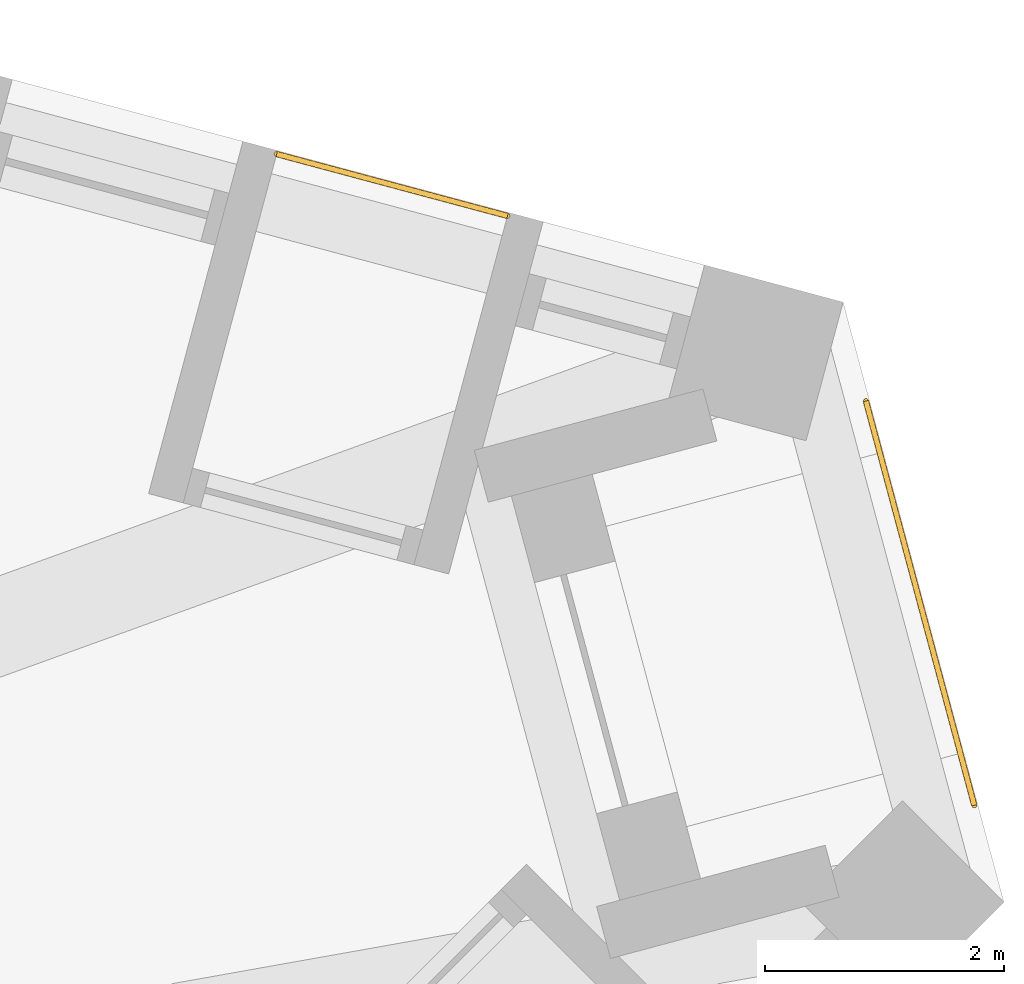
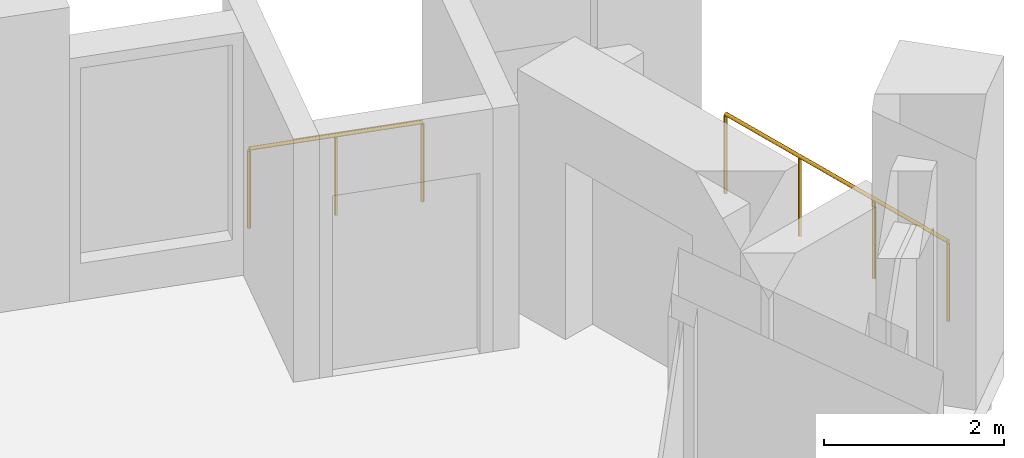
# One storey, part 13 of 13: 2 railings.
"""IFC4 building model written with IfcOpenShell, lengths in metres."""

from ifc_helpers import new_model, si_unit, direction, frame, origin, origin_2d, place, context, subcontext, project, spatial, circle, extrude, material, type_object, element, save


model = new_model("IFC4")

# Units and contexts
model_context = context("Model", 3, precision=1e-05, world=origin(), true_north=direction((0.0, 1.0)))
body_context = subcontext(model_context, "Body", "Model", "MODEL_VIEW")
ifc_project = project(units=[si_unit("LENGTHUNIT", "METRE"), si_unit("AREAUNIT", "SQUARE_METRE"), si_unit("VOLUMEUNIT", "CUBIC_METRE"), si_unit("PLANEANGLEUNIT", "RADIAN"), si_unit("MASSUNIT", "GRAM", prefix="KILO")], contexts=[model_context])

# Site, building, storey
site_placement = place(None, origin())
site = spatial("IfcSite", under=ifc_project, at=site_placement, CompositionType="ELEMENT")
building_placement = place(site_placement, origin())
building = spatial("IfcBuilding", under=site, at=building_placement, Name="Tramontana Tower", CompositionType="ELEMENT")
storey_placement = place(building_placement, frame((0.0, 0.0, 212.0)))
storey = spatial("IfcBuildingStorey", under=building, at=storey_placement, Name="L49", CompositionType="ELEMENT", Elevation=212.0)

# Railings
ifc_material = material(Name="Laminated glass balustrade", Category="glass")
railing_type = type_object("IfcRailingType", Name="GD1 Loggia glass balustrade 1100", PredefinedType="BALUSTRADE", material=ifc_material)
railing_1_placement = place(storey_placement, frame((24.04931640625, 10.60693359375, 0.0)))
element("IfcRailing", 1, at=railing_1_placement, inside=storey, type_object=railing_type, Name="Loggia balustrade L49 G5S2.1", PredefinedType="BALUSTRADE", context=body_context, shape_type="SweptSolid", body=[
    extrude(circle(Radius=0.02392578125, at=origin_2d()), frame((0.0, 0.0, 1.076171875), z_axis=(-0.96593005298, 0.258803270362, 0.0), x_axis=(-0.258803270362, -0.96593005298, 0.0)), (0.0, 0.0, 1.0), 1.998046875),
    extrude(circle(Radius=0.02099609375, at=origin_2d()), origin(), (0.0, 0.0, 1.0), 1.052001953125),
    extrude(circle(Radius=0.02099609375, at=origin_2d()), frame((-0.96484375, 0.258544921875, 0.0)), (0.0, 0.0, 1.0), 1.052001953125),
    extrude(circle(Radius=0.02099609375, at=origin_2d()), frame((-1.929931640625, 0.51708984375, 0.0)), (0.0, 0.0, 1.0), 1.052001953125),
])
railing_2_placement = place(storey_placement, frame((27.046875, 9.058837890625, 0.0)))
element("IfcRailing", 2, at=railing_2_placement, inside=storey, type_object=railing_type, Name="Corner loggia balustrade L49 K52", PredefinedType="BALUSTRADE", context=body_context, shape_type="SweptSolid", body=[
    extrude(circle(Radius=0.02392578125, at=origin_2d()), frame((0.0, 0.0, 1.076171875), z_axis=(0.258865093408, -0.965913486506, 0.0), x_axis=(0.965913486506, 0.258865093408, 0.0)), (0.0, 0.0, 1.0), 3.5),
    extrude(circle(Radius=0.02099609375, at=origin_2d()), origin(), (0.0, 0.0, 1.0), 1.052001953125),
    extrude(circle(Radius=0.02099609375, at=origin_2d()), frame((0.302001953125, -1.126953125, 0.0)), (0.0, 0.0, 1.0), 1.052001953125),
    extrude(circle(Radius=0.02099609375, at=origin_2d()), frame((0.60400390625, -2.253662109375, 0.0)), (0.0, 0.0, 1.0), 1.052001953125),
    extrude(circle(Radius=0.02099609375, at=origin_2d()), frame((0.906005859375, -3.380615234375, 0.0)), (0.0, 0.0, 1.0), 1.052001953125),
])

save(model, "model.ifc")
